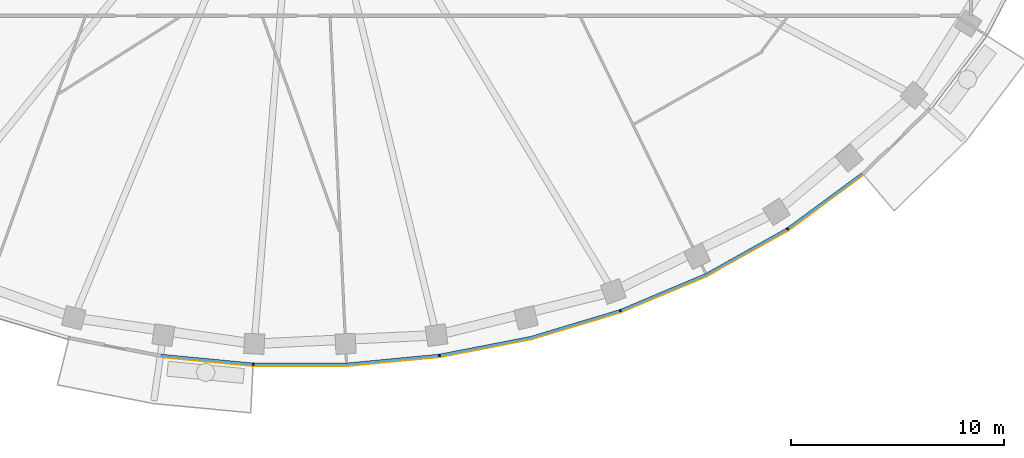
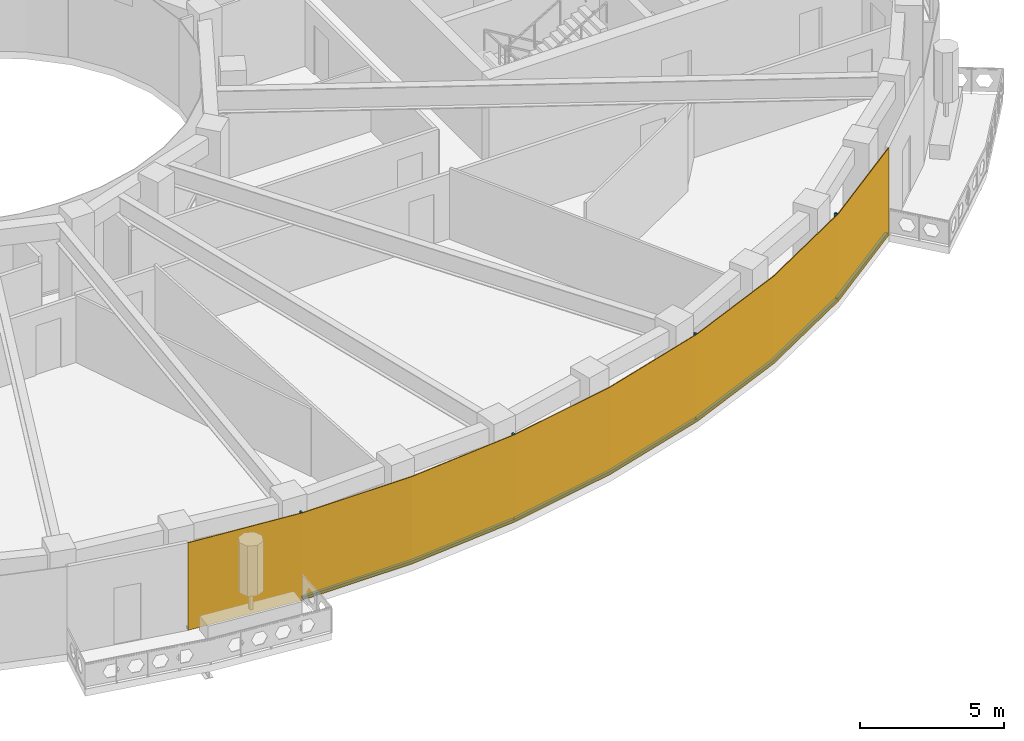
# One storey, part 9 of 16: 9 members, 1 curtain wall.
"""IFC4 building model written with IfcOpenShell, lengths in metres."""

from ifc_helpers import new_model, si_unit, direction, frame, origin, origin_2d, place, context, subcontext, project, spatial, polyline, rectangle, outline, extrude, material, layer, layer_set, material_profile, profile_set, type_object, element, aggregate, save


model = new_model("IFC4")

# Units and contexts
model_context = context("Model", 3, precision=1e-05, world=origin(), true_north=direction((0.0, 1.0)))
body_context = subcontext(model_context, "Body", "Model", "MODEL_VIEW")
ifc_project = project(units=[si_unit("LENGTHUNIT", "METRE"), si_unit("AREAUNIT", "SQUARE_METRE"), si_unit("VOLUMEUNIT", "CUBIC_METRE"), si_unit("PLANEANGLEUNIT", "RADIAN"), si_unit("MASSUNIT", "GRAM", prefix="KILO")], contexts=[model_context])

# Member
ifc_material_1 = material(Name="Aluminium 6063-T6 black anodised", Category="aluminium")
ifc_material_profile = material_profile(ifc_material_1, rectangle(XDim=0.1201171875, YDim=0.06005859375, at=origin_2d()), Name="120x60")
ifc_profile_set = profile_set([ifc_material_profile], Name="Aluminium 6063-T6 black anodised")
member_type_1 = type_object("IfcMemberType", Name="ENV-MULLION-A-120", PredefinedType="MULLION", material=ifc_profile_set)
site_placement = place(None, origin())
building_placement = place(site_placement, origin())
storey_placement = place(building_placement, frame((0.0, 0.0, 303.0)))
member_1_placement = place(storey_placement, frame((-2.188720703125, -27.856201171875, 0.0), z_axis=(0.0, 0.0, 1.0), x_axis=(0.047557873581, 0.998868484166, 0.0)))
member_1 = element("IfcMember", 1, at=member_1_placement, type_object=member_type_1, Name="Mullion A radial 35", PredefinedType="MULLION", context=body_context, shape_type="SweptSolid", body=[
    extrude(rectangle(XDim=0.1201171875, YDim=0.06005859375, at=origin_2d()), origin(), (0.0, 0.0, 1.0), 3.699951171875),
])

member_2_placement = place(storey_placement, frame((6.54638671875, -27.440185546875, 0.0), z_axis=(0.0, 0.0, 1.0), x_axis=(-0.143082012705, 0.989710835366, 0.0)))
member_2 = element("IfcMember", 2, at=member_2_placement, type_object=member_type_1, Name="Mullion A radial 37", PredefinedType="MULLION", context=body_context, shape_type="SweptSolid", body=[
    extrude(rectangle(XDim=0.1201171875, YDim=0.06005859375, at=origin_2d()), origin(), (0.0, 0.0, 1.0), 3.699951171875),
])

member_3_placement = place(storey_placement, frame((15.0341796875, -25.34375, 0.0), z_axis=(0.0, 0.0, 1.0), x_axis=(-0.338379256581, 0.941009818608, 0.0)))
member_3 = element("IfcMember", 3, at=member_3_placement, type_object=member_type_1, Name="Mullion A radial 39", PredefinedType="MULLION", context=body_context, shape_type="SweptSolid", body=[
    extrude(rectangle(XDim=0.1201171875, YDim=0.06005859375, at=origin_2d()), origin(), (0.0, 0.0, 1.0), 3.699951171875),
])

member_4_placement = place(storey_placement, frame((22.882568359375, -21.506591796875, 0.0), z_axis=(0.0, 0.0, 1.0), x_axis=(-0.542279153225, 0.840198381323, 0.0)))
member_4 = element("IfcMember", 4, at=member_4_placement, type_object=member_type_1, Name="Mullion A radial 41", PredefinedType="MULLION", context=body_context, shape_type="SweptSolid", body=[
    extrude(rectangle(XDim=0.1201171875, YDim=0.06005859375, at=origin_2d()), origin(), (0.0, 0.0, 1.0), 3.699951171875),
])

ifc_material_2 = material(Name="Aluminium 6063-T6 black anodised", Category="aluminium")
member_type_2 = type_object("IfcMemberType", Name="ENV-TRANSOM-A", PredefinedType="USERDEFINED", material=ifc_material_2)
member_5_placement = place(storey_placement, origin())
member_5 = element("IfcMember", 5, at=member_5_placement, type_object=member_type_2, Name="Transom A radial 34-35", ObjectType="TRANSOM", PredefinedType="USERDEFINED", context=body_context, shape_type="SweptSolid", body=[
    extrude(outline(polyline([(-6.53515625, -27.50146484375), (-2.219482421875, -27.913330078125), (-2.2138671875, -27.793212890625), (-6.51806640625, -27.382568359375), (-6.53515625, -27.50146484375)])), origin(), (0.0, 0.0, 1.0), 0.10009765625),
])

member_6_placement = place(storey_placement, origin())
member_6 = element("IfcMember", 6, at=member_6_placement, type_object=member_type_2, Name="Transom A radial 35-37", ObjectType="TRANSOM", PredefinedType="USERDEFINED", context=body_context, shape_type="SweptSolid", body=[
    extrude(outline(polyline([(-2.163818359375, -27.916015625), (2.191650390625, -27.916015625), (6.527099609375, -27.502197265625), (6.510009765625, -27.38330078125), (2.185791015625, -27.7958984375), (-2.157958984375, -27.7958984375), (-2.163818359375, -27.916015625)])), origin(), (0.0, 0.0, 1.0), 0.10009765625),
])

member_7_placement = place(storey_placement, origin())
member_7 = element("IfcMember", 7, at=member_7_placement, type_object=member_type_2, Name="Transom A radial 37-39", ObjectType="TRANSOM", PredefinedType="USERDEFINED", context=body_context, shape_type="SweptSolid", body=[
    extrude(outline(polyline([(6.58251953125, -27.494140625), (10.857666015625, -26.6630859375), (15.027587890625, -25.408203125), (14.987060546875, -25.295166015625), (10.828857421875, -26.54638671875), (6.5654296875, -27.375244140625), (6.58251953125, -27.494140625)])), origin(), (0.0, 0.0, 1.0), 0.10009765625),
])

member_8_placement = place(storey_placement, origin())
member_8 = element("IfcMember", 8, at=member_8_placement, type_object=member_type_2, Name="Transom A radial 39-41", ObjectType="TRANSOM", PredefinedType="USERDEFINED", context=body_context, shape_type="SweptSolid", body=[
    extrude(outline(polyline([(15.080322265625, -25.389404296875), (19.093994140625, -23.701416015625), (22.890625, -21.570556640625), (22.825439453125, -21.469482421875), (19.041259765625, -23.593505859375), (15.03955078125, -25.276123046875), (15.080322265625, -25.389404296875)])), origin(), (0.0, 0.0, 1.0), 0.10009765625),
])

member_9_placement = place(storey_placement, origin())
member_9 = element("IfcMember", 9, at=member_9_placement, type_object=member_type_2, Name="Transom A radial 41-42", ObjectType="TRANSOM", PredefinedType="USERDEFINED", context=body_context, shape_type="SweptSolid", body=[
    extrude(outline(polyline([(22.937744140625, -21.540283203125), (26.42626953125, -18.970703125), (26.348388671875, -18.87890625), (22.87255859375, -21.439208984375), (22.937744140625, -21.540283203125)])), origin(), (0.0, 0.0, 1.0), 0.10009765625),
])

# Site, building, storey
site = spatial("IfcSite", under=ifc_project, at=site_placement, CompositionType="ELEMENT")
building = spatial("IfcBuilding", under=site, at=building_placement, Name="Noorbagh Ring Tower", CompositionType="ELEMENT")
storey = spatial("IfcBuildingStorey", under=building, at=storey_placement, Name="L65", CompositionType="ELEMENT", Elevation=303.0)

# Curtain wall
ifc_material_3 = material(Name="Glass dark tinted laminated", Category="glass")
ifc_layer = layer(ifc_material_3, 0.031982421875)
ifc_layer_set = layer_set([ifc_layer], Name="Glass dark tinted laminated")
curtain_wall_type = type_object("IfcCurtainWallType", Name="ENV-CW-A", PredefinedType="NOTDEFINED", material=ifc_layer_set)
curtain_wall_placement = place(storey_placement, origin())
curtain_wall = element("IfcCurtainWall", 10, at=curtain_wall_placement, inside=storey, type_object=curtain_wall_type, Name="Curtain wall A R34", PredefinedType="NOTDEFINED", context=body_context, shape_type="SweptSolid", body=[
    extrude(outline(polyline([(-6.539794921875, -27.533203125), (-2.193115234375, -27.947998046875), (2.193115234375, -27.947998046875), (6.559814453125, -27.53125), (10.865234375, -26.6943359375), (15.065185546875, -25.430419921875), (19.108154296875, -23.730224609375), (22.9326171875, -21.583740234375), (26.447021484375, -18.9951171875), (26.42626953125, -18.970703125), (22.9150390625, -21.556884765625), (19.093994140625, -23.701416015625), (15.054443359375, -25.400146484375), (10.857666015625, -26.6630859375), (6.55517578125, -27.49951171875), (2.191650390625, -27.916015625), (-2.191650390625, -27.916015625), (-6.53515625, -27.50146484375), (-6.539794921875, -27.533203125)])), origin(), (0.0, 0.0, 1.0), 3.699951171875),
])

aggregate(curtain_wall, [member_1, member_2, member_3, member_4, member_5, member_6, member_7, member_8, member_9])

save(model, "model.ifc")
